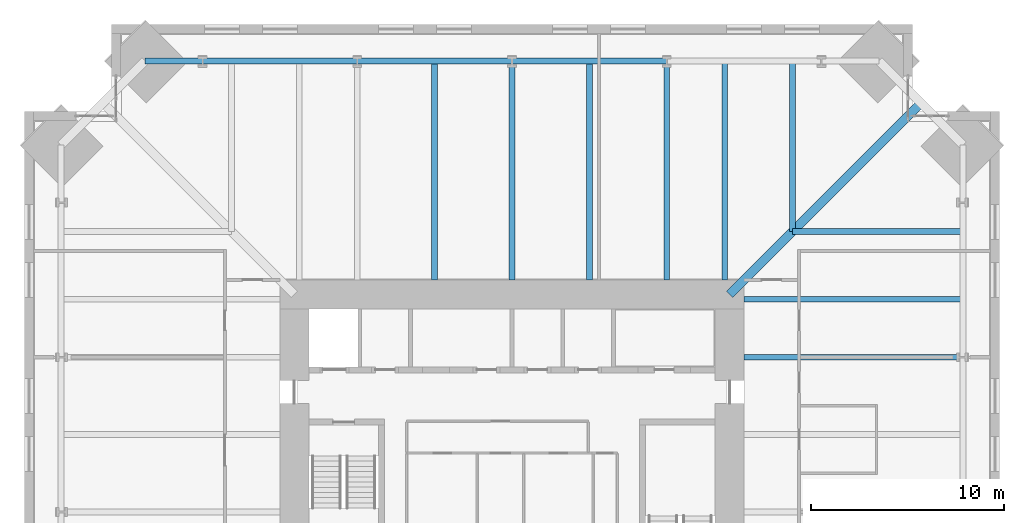
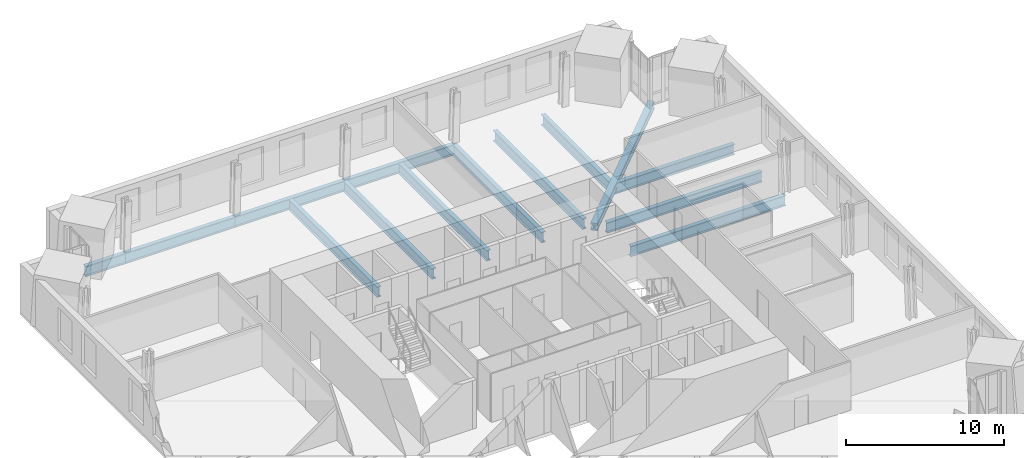
# One storey, part 7 of 15: 14 beams.
"""IFC4 building model written with IfcOpenShell, lengths in metres."""

from ifc_helpers import new_model, si_unit, direction, frame, origin, origin_2d, place, context, subcontext, project, spatial, i_section, extrude, material, material_profile, profile_set, type_object, element, save


model = new_model("IFC4")

# Units and contexts
model_context = context("Model", 3, precision=1e-05, world=origin(), true_north=direction((0.0, 1.0)))
body_context = subcontext(model_context, "Body", "Model", "MODEL_VIEW")
ifc_project = project(units=[si_unit("LENGTHUNIT", "METRE"), si_unit("AREAUNIT", "SQUARE_METRE"), si_unit("VOLUMEUNIT", "CUBIC_METRE"), si_unit("PLANEANGLEUNIT", "RADIAN"), si_unit("MASSUNIT", "GRAM", prefix="KILO")], contexts=[model_context])

# Site, building, storey
site_placement = place(None, origin())
site = spatial("IfcSite", under=ifc_project, at=site_placement, CompositionType="ELEMENT")
building_placement = place(site_placement, origin())
building = spatial("IfcBuilding", under=site, at=building_placement, Name="Peilmerk Tower", CompositionType="ELEMENT")
storey_placement = place(building_placement, frame((0.0, 0.0, 187.800048828125)))
storey = spatial("IfcBuildingStorey", under=building, at=storey_placement, Name="L40", CompositionType="ELEMENT", Elevation=187.800048828125)

# Beams
ifc_material = material(Name="Steel S460", Category="steel")
ifc_material_profile_1 = material_profile(ifc_material, i_section(OverallWidth=0.302978515625, OverallDepth=0.81396484375, WebThickness=0.02099609375, FlangeThickness=0.0400390625, at=origin_2d()), Name="HEM 800")
ifc_profile_set_1 = profile_set([ifc_material_profile_1], Name="Steel S460")
beam_type_1 = type_object("IfcBeamType", Name="B26 HEM 800 floor beam", PredefinedType="BEAM", material=ifc_profile_set_1)
for number, where, z_axis, x_axis, name in (
    (1, (11.0, 12.0, -0.5771484375), (0.0, 1.0, 0.0), (-1.0, 0.0, 0.0), "Floor beam L40"),
    (2, (8.0, 12.0, -0.5771484375), (0.0, 1.0, 0.0), (-1.0, 0.0, 0.0), "Floor beam L40"),
    (3, (4.0, 12.0, -0.5771484375), (0.0, 1.0, 0.0), (-1.0, 0.0, 0.0), "Floor beam L40"),
    (4, (0.0, 12.0, -0.5771484375), (0.0, 1.0, 0.0), (-1.0, 0.0, 0.0), "Floor beam L40"),
    (5, (-4.0, 12.0, -0.5771484375), (0.0, 1.0, 0.0), (-1.0, 0.0, 0.0), "Floor beam L40"),
    (6, (12.0, 8.0, -0.5771484375), (1.0, 0.0, 0.0), (0.0, 1.0, 0.0), "Floor beam L40"),
    (7, (12.0, 11.0, -0.5771484375), (1.0, 0.0, 0.0), (0.0, 1.0, 0.0), "Floor beam L40"),
):
    element("IfcBeam", number, at=place(storey_placement, frame(where, z_axis=z_axis, x_axis=x_axis)), inside=storey, type_object=beam_type_1, Name=name, PredefinedType="BEAM", context=body_context, shape_type="SweptSolid", body=[
        extrude(i_section(OverallWidth=0.302978515625, OverallDepth=0.81396484375, WebThickness=0.02099609375, FlangeThickness=0.0400390625, at=origin_2d()), origin(), (0.0, 0.0, 1.0), 11.32421875),
    ])
for number, where, z_axis, x_axis, name in (
    (8, (14.5, 14.5, -0.5771484375), (0.0, 1.0, 0.0), (-1.0, 0.0, 0.0), "Floor beam L40"),
    (9, (14.5, 14.5, -0.5771484375), (1.0, 0.0, 0.0), (0.0, 1.0, 0.0), "Floor beam L40"),
):
    element("IfcBeam", number, at=place(storey_placement, frame(where, z_axis=z_axis, x_axis=x_axis)), inside=storey, type_object=beam_type_1, Name=name, PredefinedType="BEAM", context=body_context, shape_type="SweptSolid", body=[
        extrude(i_section(OverallWidth=0.302978515625, OverallDepth=0.81396484375, WebThickness=0.02099609375, FlangeThickness=0.0400390625, at=origin_2d()), origin(), (0.0, 0.0, 1.0), 8.82421875),
    ])
ifc_material_profile_2 = material_profile(ifc_material, i_section(OverallWidth=0.302978515625, OverallDepth=0.81396484375, WebThickness=0.02099609375, FlangeThickness=0.0400390625, at=origin_2d()), Name="HEM 800")
ifc_profile_set_2 = profile_set([ifc_material_profile_2], Name="Steel S460")
beam_type_2 = type_object("IfcBeamType", Name="B35 HEM 800 edge beam", PredefinedType="SPANDREL", material=ifc_profile_set_2)
for number, where, z_axis, x_axis, name in (
    (10, (8.0, 23.32421875, -0.5771484375), (-1.0, 0.0, 0.0), (0.0, -1.0, 0.0), "Edge beam L40"),
    (11, (0.0, 23.32421875, -0.5771484375), (-1.0, 0.0, 0.0), (0.0, -1.0, 0.0), "Edge beam L40"),
    (12, (-8.0, 23.32421875, -0.5771484375), (-1.0, 0.0, 0.0), (0.0, -1.0, 0.0), "Edge beam L40"),
):
    element("IfcBeam", number, at=place(storey_placement, frame(where, z_axis=z_axis, x_axis=x_axis)), inside=storey, type_object=beam_type_2, Name=name, PredefinedType="SPANDREL", context=body_context, shape_type="SweptSolid", body=[
        extrude(i_section(OverallWidth=0.302978515625, OverallDepth=0.81396484375, WebThickness=0.02099609375, FlangeThickness=0.0400390625, at=origin_2d()), origin(), (0.0, 0.0, 1.0), 8.0),
    ])
beam_1_placement = place(storey_placement, frame((-16.0, 23.32421875, -0.5771484375), z_axis=(-1.0, 0.0, 0.0), x_axis=(0.0, -1.0, 0.0)))
element("IfcBeam", 13, at=beam_1_placement, inside=storey, type_object=beam_type_2, Name="Edge beam L40", PredefinedType="SPANDREL", context=body_context, shape_type="SweptSolid", body=[
    extrude(i_section(OverallWidth=0.302978515625, OverallDepth=0.81396484375, WebThickness=0.02099609375, FlangeThickness=0.0400390625, at=origin_2d()), origin(), (0.0, 0.0, 1.0), 2.97412109375),
])
ifc_material_profile_3 = material_profile(ifc_material, i_section(OverallWidth=0.4541015625, OverallDepth=0.569091796875, WebThickness=0.077880859375, FlangeThickness=0.125, at=origin_2d()), Name="HD 400x1086")
ifc_profile_set_3 = profile_set([ifc_material_profile_3], Name="Steel S460")
beam_type_3 = type_object("IfcBeamType", Name="B9 HD 400x1086 corner girder", PredefinedType="BEAM", material=ifc_profile_set_3)
beam_2_placement = place(storey_placement, frame((11.25, 11.25, -0.45458984375), z_axis=(0.707106781187, 0.707106781187, 0.0), x_axis=(-0.707106781187, 0.707106781187, 0.0)))
element("IfcBeam", 14, at=beam_2_placement, inside=storey, type_object=beam_type_3, Name="Corner girder L40", PredefinedType="BEAM", context=body_context, shape_type="SweptSolid", body=[
    extrude(i_section(OverallWidth=0.4541015625, OverallDepth=0.569091796875, WebThickness=0.077880859375, FlangeThickness=0.125, at=origin_2d()), origin(), (0.0, 0.0, 1.0), 13.99951171875),
])

save(model, "model.ifc")
